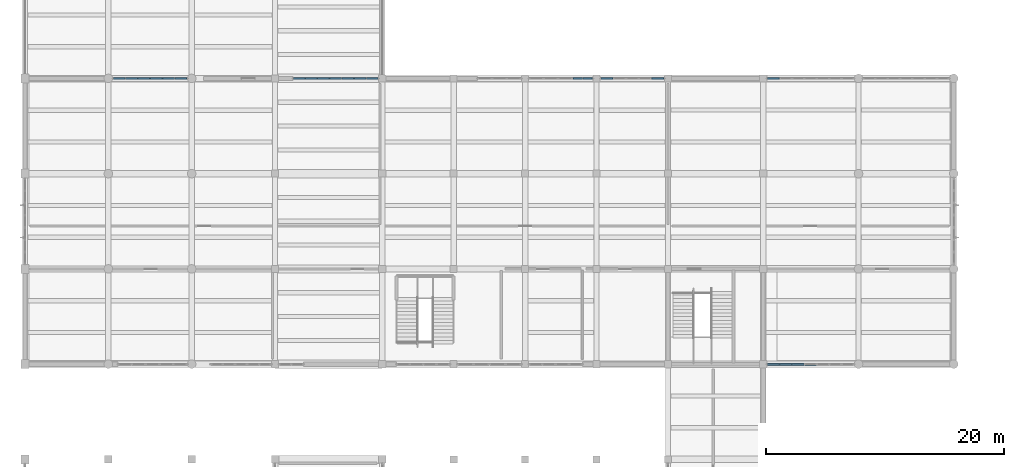
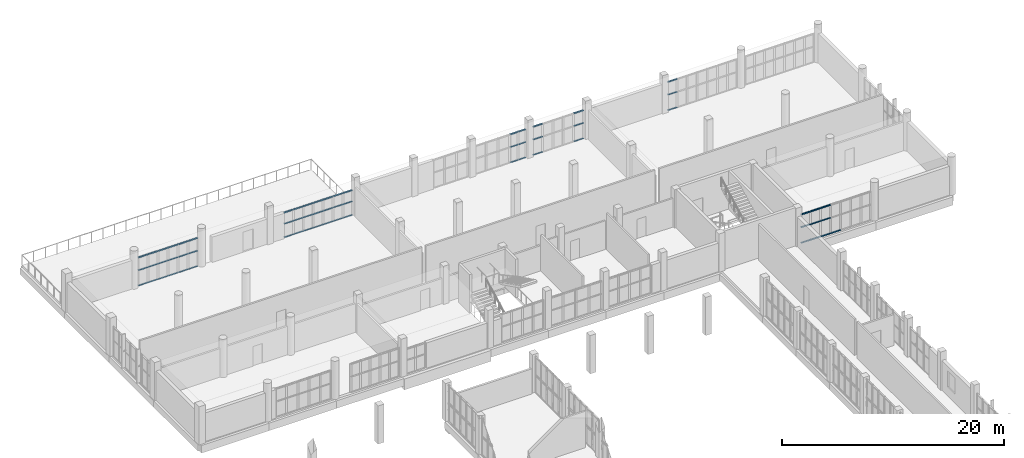
# One storey, part 41 of 85: 64 members, 6 elements without a shape of their own.
"""IFC4 building model written with IfcOpenShell, lengths in metres."""

from ifc_helpers import new_model, si_unit, direction, frame, origin, origin_2d, place, context, subcontext, project, spatial, rectangle, extrude, material, layer, layer_set, material_profile, profile_set, type_object, element, aggregate, save


model = new_model("IFC4")

# Units and contexts
model_context = context("Model", 3, precision=1e-05, world=origin(), true_north=direction((0.0, 1.0)))
body_context = subcontext(model_context, "Body", "Model", "MODEL_VIEW")
ifc_project = project(units=[si_unit("LENGTHUNIT", "METRE"), si_unit("AREAUNIT", "SQUARE_METRE"), si_unit("VOLUMEUNIT", "CUBIC_METRE"), si_unit("PLANEANGLEUNIT", "RADIAN"), si_unit("MASSUNIT", "GRAM", prefix="KILO")], contexts=[model_context])

# Site, building, storey
site_placement = place(None, origin())
site = spatial("IfcSite", under=ifc_project, at=site_placement, CompositionType="ELEMENT")
building_placement = place(site_placement, origin())
building = spatial("IfcBuilding", under=site, at=building_placement, Name="Solvane Community Centre", CompositionType="ELEMENT")
storey_placement = place(building_placement, frame((0.0, 0.0, 5.39990234375)))
storey = spatial("IfcBuildingStorey", under=building, at=storey_placement, Name="L01", CompositionType="ELEMENT", Elevation=5.39990234375)

# Curtain wall, members
ifc_material = material(Name="Anodised bronze aluminium AW-6063 T6", Category="aluminium")
ifc_layer_1 = layer(ifc_material, 0.18994140625)
ifc_layer_set_1 = layer_set([ifc_layer_1], Name="Anodised bronze aluminium AW-6063 T6")
curtain_wall_type_1 = type_object("IfcCurtainWallType", Name="Boulevard Bronze Vision Curtain Wall [62x31dm]", PredefinedType="NOTDEFINED", material=ifc_layer_set_1)
curtain_wall_1_placement = place(storey_placement, origin())
curtain_wall_1 = element("IfcCurtainWall", 1, at=curtain_wall_1_placement, inside=storey, type_object=curtain_wall_type_1, Name="Curtain Wall CW-L01-134_1100-086", PredefinedType="NOTDEFINED")
ifc_material_profile = material_profile(ifc_material, rectangle(XDim=0.14990234375, YDim=0.06005859375, at=origin_2d()), Name="CW-T 60x150")
ifc_profile_set = profile_set([ifc_material_profile], Name="Anodised bronze aluminium AW-6063 T6")
member_type = type_object("IfcMemberType", Name="Boulevard Transom 60x150", PredefinedType="USERDEFINED", material=ifc_profile_set)
member_1_placement = place(storey_placement, frame((13.43505859375, 110.0, 0.030029296875), z_axis=(1.0, 0.0, 0.0), x_axis=(0.0, 1.0, 0.0)))
member_1 = element("IfcMember", 2, at=member_1_placement, type_object=member_type, Name="CW02-62x31 transom 1.1", ObjectType="TRANSOM", PredefinedType="USERDEFINED", context=body_context, shape_type="SweptSolid", body=[
    extrude(rectangle(XDim=0.14990234375, YDim=0.06005859375, at=origin_2d()), origin(), (0.0, 0.0, 1.0), 0.95166015625),
])
member_2_placement = place(storey_placement, frame((13.43505859375, 110.0, 1.72412109375), z_axis=(1.0, 0.0, 0.0), x_axis=(0.0, 1.0, 0.0)))
member_2 = element("IfcMember", 3, at=member_2_placement, type_object=member_type, Name="CW02-62x31 transom 1.2", ObjectType="TRANSOM", PredefinedType="USERDEFINED", context=body_context, shape_type="SweptSolid", body=[
    extrude(rectangle(XDim=0.14990234375, YDim=0.06005859375, at=origin_2d()), origin(), (0.0, 0.0, 1.0), 0.95166015625),
])
member_3_placement = place(storey_placement, frame((13.43505859375, 110.0, 3.10498046875), z_axis=(1.0, 0.0, 0.0), x_axis=(0.0, 1.0, 0.0)))
member_3 = element("IfcMember", 4, at=member_3_placement, type_object=member_type, Name="CW02-62x31 transom 1.3", ObjectType="TRANSOM", PredefinedType="USERDEFINED", context=body_context, shape_type="SweptSolid", body=[
    extrude(rectangle(XDim=0.14990234375, YDim=0.06005859375, at=origin_2d()), origin(), (0.0, 0.0, 1.0), 0.95166015625),
])
member_4_placement = place(storey_placement, frame((14.44677734375, 110.0, 0.030029296875), z_axis=(1.0, 0.0, 0.0), x_axis=(0.0, 1.0, 0.0)))
member_4 = element("IfcMember", 5, at=member_4_placement, type_object=member_type, Name="CW02-62x31 transom 2.1", ObjectType="TRANSOM", PredefinedType="USERDEFINED", context=body_context, shape_type="SweptSolid", body=[
    extrude(rectangle(XDim=0.14990234375, YDim=0.06005859375, at=origin_2d()), origin(), (0.0, 0.0, 1.0), 0.9814453125),
])
member_5_placement = place(storey_placement, frame((14.44677734375, 110.0, 1.72412109375), z_axis=(1.0, 0.0, 0.0), x_axis=(0.0, 1.0, 0.0)))
member_5 = element("IfcMember", 6, at=member_5_placement, type_object=member_type, Name="CW02-62x31 transom 2.2", ObjectType="TRANSOM", PredefinedType="USERDEFINED", context=body_context, shape_type="SweptSolid", body=[
    extrude(rectangle(XDim=0.14990234375, YDim=0.06005859375, at=origin_2d()), origin(), (0.0, 0.0, 1.0), 0.9814453125),
])
member_6_placement = place(storey_placement, frame((14.44677734375, 110.0, 3.10498046875), z_axis=(1.0, 0.0, 0.0), x_axis=(0.0, 1.0, 0.0)))
member_6 = element("IfcMember", 7, at=member_6_placement, type_object=member_type, Name="CW02-62x31 transom 2.3", ObjectType="TRANSOM", PredefinedType="USERDEFINED", context=body_context, shape_type="SweptSolid", body=[
    extrude(rectangle(XDim=0.14990234375, YDim=0.06005859375, at=origin_2d()), origin(), (0.0, 0.0, 1.0), 0.9814453125),
])
member_7_placement = place(storey_placement, frame((15.48828125, 110.0, 0.030029296875), z_axis=(1.0, 0.0, 0.0), x_axis=(0.0, 1.0, 0.0)))
member_7 = element("IfcMember", 8, at=member_7_placement, type_object=member_type, Name="CW02-62x31 transom 3.1", ObjectType="TRANSOM", PredefinedType="USERDEFINED", context=body_context, shape_type="SweptSolid", body=[
    extrude(rectangle(XDim=0.14990234375, YDim=0.06005859375, at=origin_2d()), origin(), (0.0, 0.0, 1.0), 0.981689453125),
])
member_8_placement = place(storey_placement, frame((15.48828125, 110.0, 1.72412109375), z_axis=(1.0, 0.0, 0.0), x_axis=(0.0, 1.0, 0.0)))
member_8 = element("IfcMember", 9, at=member_8_placement, type_object=member_type, Name="CW02-62x31 transom 3.2", ObjectType="TRANSOM", PredefinedType="USERDEFINED", context=body_context, shape_type="SweptSolid", body=[
    extrude(rectangle(XDim=0.14990234375, YDim=0.06005859375, at=origin_2d()), origin(), (0.0, 0.0, 1.0), 0.981689453125),
])
member_9_placement = place(storey_placement, frame((15.48828125, 110.0, 3.10498046875), z_axis=(1.0, 0.0, 0.0), x_axis=(0.0, 1.0, 0.0)))
member_9 = element("IfcMember", 10, at=member_9_placement, type_object=member_type, Name="CW02-62x31 transom 3.3", ObjectType="TRANSOM", PredefinedType="USERDEFINED", context=body_context, shape_type="SweptSolid", body=[
    extrude(rectangle(XDim=0.14990234375, YDim=0.06005859375, at=origin_2d()), origin(), (0.0, 0.0, 1.0), 0.981689453125),
])
member_10_placement = place(storey_placement, frame((16.530029296875, 110.0, 0.030029296875), z_axis=(1.0, 0.0, 0.0), x_axis=(0.0, 1.0, 0.0)))
member_10 = element("IfcMember", 11, at=member_10_placement, type_object=member_type, Name="CW02-62x31 transom 4.1", ObjectType="TRANSOM", PredefinedType="USERDEFINED", context=body_context, shape_type="SweptSolid", body=[
    extrude(rectangle(XDim=0.14990234375, YDim=0.06005859375, at=origin_2d()), origin(), (0.0, 0.0, 1.0), 0.981689453125),
])
member_11_placement = place(storey_placement, frame((16.530029296875, 110.0, 1.72412109375), z_axis=(1.0, 0.0, 0.0), x_axis=(0.0, 1.0, 0.0)))
member_11 = element("IfcMember", 12, at=member_11_placement, type_object=member_type, Name="CW02-62x31 transom 4.2", ObjectType="TRANSOM", PredefinedType="USERDEFINED", context=body_context, shape_type="SweptSolid", body=[
    extrude(rectangle(XDim=0.14990234375, YDim=0.06005859375, at=origin_2d()), origin(), (0.0, 0.0, 1.0), 0.981689453125),
])
member_12_placement = place(storey_placement, frame((16.530029296875, 110.0, 3.10498046875), z_axis=(1.0, 0.0, 0.0), x_axis=(0.0, 1.0, 0.0)))
member_12 = element("IfcMember", 13, at=member_12_placement, type_object=member_type, Name="CW02-62x31 transom 4.3", ObjectType="TRANSOM", PredefinedType="USERDEFINED", context=body_context, shape_type="SweptSolid", body=[
    extrude(rectangle(XDim=0.14990234375, YDim=0.06005859375, at=origin_2d()), origin(), (0.0, 0.0, 1.0), 0.981689453125),
])
member_13_placement = place(storey_placement, frame((17.57177734375, 110.0, 0.030029296875), z_axis=(1.0, 0.0, 0.0), x_axis=(0.0, 1.0, 0.0)))
member_13 = element("IfcMember", 14, at=member_13_placement, type_object=member_type, Name="CW02-62x31 transom 5.1", ObjectType="TRANSOM", PredefinedType="USERDEFINED", context=body_context, shape_type="SweptSolid", body=[
    extrude(rectangle(XDim=0.14990234375, YDim=0.06005859375, at=origin_2d()), origin(), (0.0, 0.0, 1.0), 0.9814453125),
])
member_14_placement = place(storey_placement, frame((17.57177734375, 110.0, 1.72412109375), z_axis=(1.0, 0.0, 0.0), x_axis=(0.0, 1.0, 0.0)))
member_14 = element("IfcMember", 15, at=member_14_placement, type_object=member_type, Name="CW02-62x31 transom 5.2", ObjectType="TRANSOM", PredefinedType="USERDEFINED", context=body_context, shape_type="SweptSolid", body=[
    extrude(rectangle(XDim=0.14990234375, YDim=0.06005859375, at=origin_2d()), origin(), (0.0, 0.0, 1.0), 0.9814453125),
])
member_15_placement = place(storey_placement, frame((17.57177734375, 110.0, 3.10498046875), z_axis=(1.0, 0.0, 0.0), x_axis=(0.0, 1.0, 0.0)))
member_15 = element("IfcMember", 16, at=member_15_placement, type_object=member_type, Name="CW02-62x31 transom 5.3", ObjectType="TRANSOM", PredefinedType="USERDEFINED", context=body_context, shape_type="SweptSolid", body=[
    extrude(rectangle(XDim=0.14990234375, YDim=0.06005859375, at=origin_2d()), origin(), (0.0, 0.0, 1.0), 0.9814453125),
])
member_16_placement = place(storey_placement, frame((18.61328125, 110.0, 0.030029296875), z_axis=(1.0, 0.0, 0.0), x_axis=(0.0, 1.0, 0.0)))
member_16 = element("IfcMember", 17, at=member_16_placement, type_object=member_type, Name="CW02-62x31 transom 6.1", ObjectType="TRANSOM", PredefinedType="USERDEFINED", context=body_context, shape_type="SweptSolid", body=[
    extrude(rectangle(XDim=0.14990234375, YDim=0.06005859375, at=origin_2d()), origin(), (0.0, 0.0, 1.0), 0.95166015625),
])
member_17_placement = place(storey_placement, frame((18.61328125, 110.0, 1.72412109375), z_axis=(1.0, 0.0, 0.0), x_axis=(0.0, 1.0, 0.0)))
member_17 = element("IfcMember", 18, at=member_17_placement, type_object=member_type, Name="CW02-62x31 transom 6.2", ObjectType="TRANSOM", PredefinedType="USERDEFINED", context=body_context, shape_type="SweptSolid", body=[
    extrude(rectangle(XDim=0.14990234375, YDim=0.06005859375, at=origin_2d()), origin(), (0.0, 0.0, 1.0), 0.95166015625),
])
member_18_placement = place(storey_placement, frame((18.61328125, 110.0, 3.10498046875), z_axis=(1.0, 0.0, 0.0), x_axis=(0.0, 1.0, 0.0)))
member_18 = element("IfcMember", 19, at=member_18_placement, type_object=member_type, Name="CW02-62x31 transom 6.3", ObjectType="TRANSOM", PredefinedType="USERDEFINED", context=body_context, shape_type="SweptSolid", body=[
    extrude(rectangle(XDim=0.14990234375, YDim=0.06005859375, at=origin_2d()), origin(), (0.0, 0.0, 1.0), 0.95166015625),
])
aggregate(curtain_wall_1, [member_1, member_2, member_3, member_4, member_5, member_6, member_7, member_8, member_9, member_10, member_11, member_12, member_13, member_14, member_15, member_16, member_17, member_18])

ifc_layer_2 = layer(ifc_material, 0.18994140625)
ifc_layer_set_2 = layer_set([ifc_layer_2], Name="Anodised bronze aluminium AW-6063 T6")
curtain_wall_type_2 = type_object("IfcCurtainWallType", Name="Boulevard Bronze Vision Curtain Wall [72x28dm]", PredefinedType="NOTDEFINED", material=ifc_layer_set_2)
curtain_wall_2_placement = place(storey_placement, origin())
curtain_wall_2 = element("IfcCurtainWall", 20, at=curtain_wall_2_placement, inside=storey, type_object=curtain_wall_type_2, Name="Curtain Wall CW-L01-285_1100-087", PredefinedType="NOTDEFINED")
member_19_placement = place(storey_placement, frame((28.56005859375, 110.0, 0.030029296875), z_axis=(1.0, 0.0, 0.0), x_axis=(0.0, 1.0, 0.0)))
member_19 = element("IfcMember", 21, at=member_19_placement, type_object=member_type, Name="CW02-72x28 transom 1.1", ObjectType="TRANSOM", PredefinedType="USERDEFINED", context=body_context, shape_type="SweptSolid", body=[
    extrude(rectangle(XDim=0.14990234375, YDim=0.06005859375, at=origin_2d()), origin(), (0.0, 0.0, 1.0), 0.936279296875),
])
member_20_placement = place(storey_placement, frame((28.56005859375, 110.0, 1.52099609375), z_axis=(1.0, 0.0, 0.0), x_axis=(0.0, 1.0, 0.0)))
member_20 = element("IfcMember", 22, at=member_20_placement, type_object=member_type, Name="CW02-72x28 transom 1.2", ObjectType="TRANSOM", PredefinedType="USERDEFINED", context=body_context, shape_type="SweptSolid", body=[
    extrude(rectangle(XDim=0.14990234375, YDim=0.06005859375, at=origin_2d()), origin(), (0.0, 0.0, 1.0), 0.936279296875),
])
member_21_placement = place(storey_placement, frame((28.56005859375, 110.0, 2.735107421875), z_axis=(1.0, 0.0, 0.0), x_axis=(0.0, 1.0, 0.0)))
member_21 = element("IfcMember", 23, at=member_21_placement, type_object=member_type, Name="CW02-72x28 transom 1.3", ObjectType="TRANSOM", PredefinedType="USERDEFINED", context=body_context, shape_type="SweptSolid", body=[
    extrude(rectangle(XDim=0.14990234375, YDim=0.06005859375, at=origin_2d()), origin(), (0.0, 0.0, 1.0), 0.936279296875),
])
member_22_placement = place(storey_placement, frame((29.556396484375, 110.0, 0.030029296875), z_axis=(1.0, 0.0, 0.0), x_axis=(0.0, 1.0, 0.0)))
member_22 = element("IfcMember", 24, at=member_22_placement, type_object=member_type, Name="CW02-72x28 transom 2.1", ObjectType="TRANSOM", PredefinedType="USERDEFINED", context=body_context, shape_type="SweptSolid", body=[
    extrude(rectangle(XDim=0.14990234375, YDim=0.06005859375, at=origin_2d()), origin(), (0.0, 0.0, 1.0), 0.966552734375),
])
member_23_placement = place(storey_placement, frame((29.556396484375, 110.0, 1.52099609375), z_axis=(1.0, 0.0, 0.0), x_axis=(0.0, 1.0, 0.0)))
member_23 = element("IfcMember", 25, at=member_23_placement, type_object=member_type, Name="CW02-72x28 transom 2.2", ObjectType="TRANSOM", PredefinedType="USERDEFINED", context=body_context, shape_type="SweptSolid", body=[
    extrude(rectangle(XDim=0.14990234375, YDim=0.06005859375, at=origin_2d()), origin(), (0.0, 0.0, 1.0), 0.966552734375),
])
member_24_placement = place(storey_placement, frame((29.556396484375, 110.0, 2.735107421875), z_axis=(1.0, 0.0, 0.0), x_axis=(0.0, 1.0, 0.0)))
member_24 = element("IfcMember", 26, at=member_24_placement, type_object=member_type, Name="CW02-72x28 transom 2.3", ObjectType="TRANSOM", PredefinedType="USERDEFINED", context=body_context, shape_type="SweptSolid", body=[
    extrude(rectangle(XDim=0.14990234375, YDim=0.06005859375, at=origin_2d()), origin(), (0.0, 0.0, 1.0), 0.966552734375),
])
member_25_placement = place(storey_placement, frame((30.582763671875, 110.0, 0.030029296875), z_axis=(1.0, 0.0, 0.0), x_axis=(0.0, 1.0, 0.0)))
member_25 = element("IfcMember", 27, at=member_25_placement, type_object=member_type, Name="CW02-72x28 transom 3.1", ObjectType="TRANSOM", PredefinedType="USERDEFINED", context=body_context, shape_type="SweptSolid", body=[
    extrude(rectangle(XDim=0.14990234375, YDim=0.06005859375, at=origin_2d()), origin(), (0.0, 0.0, 1.0), 0.966552734375),
])
member_26_placement = place(storey_placement, frame((30.582763671875, 110.0, 1.52099609375), z_axis=(1.0, 0.0, 0.0), x_axis=(0.0, 1.0, 0.0)))
member_26 = element("IfcMember", 28, at=member_26_placement, type_object=member_type, Name="CW02-72x28 transom 3.2", ObjectType="TRANSOM", PredefinedType="USERDEFINED", context=body_context, shape_type="SweptSolid", body=[
    extrude(rectangle(XDim=0.14990234375, YDim=0.06005859375, at=origin_2d()), origin(), (0.0, 0.0, 1.0), 0.966552734375),
])
member_27_placement = place(storey_placement, frame((30.582763671875, 110.0, 2.735107421875), z_axis=(1.0, 0.0, 0.0), x_axis=(0.0, 1.0, 0.0)))
member_27 = element("IfcMember", 29, at=member_27_placement, type_object=member_type, Name="CW02-72x28 transom 3.3", ObjectType="TRANSOM", PredefinedType="USERDEFINED", context=body_context, shape_type="SweptSolid", body=[
    extrude(rectangle(XDim=0.14990234375, YDim=0.06005859375, at=origin_2d()), origin(), (0.0, 0.0, 1.0), 0.966552734375),
])
member_28_placement = place(storey_placement, frame((31.609375, 110.0, 0.030029296875), z_axis=(1.0, 0.0, 0.0), x_axis=(0.0, 1.0, 0.0)))
member_28 = element("IfcMember", 30, at=member_28_placement, type_object=member_type, Name="CW02-72x28 transom 4.1", ObjectType="TRANSOM", PredefinedType="USERDEFINED", context=body_context, shape_type="SweptSolid", body=[
    extrude(rectangle(XDim=0.14990234375, YDim=0.06005859375, at=origin_2d()), origin(), (0.0, 0.0, 1.0), 0.96630859375),
])
member_29_placement = place(storey_placement, frame((31.609375, 110.0, 1.52099609375), z_axis=(1.0, 0.0, 0.0), x_axis=(0.0, 1.0, 0.0)))
member_29 = element("IfcMember", 31, at=member_29_placement, type_object=member_type, Name="CW02-72x28 transom 4.2", ObjectType="TRANSOM", PredefinedType="USERDEFINED", context=body_context, shape_type="SweptSolid", body=[
    extrude(rectangle(XDim=0.14990234375, YDim=0.06005859375, at=origin_2d()), origin(), (0.0, 0.0, 1.0), 0.96630859375),
])
member_30_placement = place(storey_placement, frame((31.609375, 110.0, 2.735107421875), z_axis=(1.0, 0.0, 0.0), x_axis=(0.0, 1.0, 0.0)))
member_30 = element("IfcMember", 32, at=member_30_placement, type_object=member_type, Name="CW02-72x28 transom 4.3", ObjectType="TRANSOM", PredefinedType="USERDEFINED", context=body_context, shape_type="SweptSolid", body=[
    extrude(rectangle(XDim=0.14990234375, YDim=0.06005859375, at=origin_2d()), origin(), (0.0, 0.0, 1.0), 0.96630859375),
])
member_31_placement = place(storey_placement, frame((32.6357421875, 110.0, 0.030029296875), z_axis=(1.0, 0.0, 0.0), x_axis=(0.0, 1.0, 0.0)))
member_31 = element("IfcMember", 33, at=member_31_placement, type_object=member_type, Name="CW02-72x28 transom 5.1", ObjectType="TRANSOM", PredefinedType="USERDEFINED", context=body_context, shape_type="SweptSolid", body=[
    extrude(rectangle(XDim=0.14990234375, YDim=0.06005859375, at=origin_2d()), origin(), (0.0, 0.0, 1.0), 0.96630859375),
])
member_32_placement = place(storey_placement, frame((32.6357421875, 110.0, 1.52099609375), z_axis=(1.0, 0.0, 0.0), x_axis=(0.0, 1.0, 0.0)))
member_32 = element("IfcMember", 34, at=member_32_placement, type_object=member_type, Name="CW02-72x28 transom 5.2", ObjectType="TRANSOM", PredefinedType="USERDEFINED", context=body_context, shape_type="SweptSolid", body=[
    extrude(rectangle(XDim=0.14990234375, YDim=0.06005859375, at=origin_2d()), origin(), (0.0, 0.0, 1.0), 0.96630859375),
])
member_33_placement = place(storey_placement, frame((32.6357421875, 110.0, 2.735107421875), z_axis=(1.0, 0.0, 0.0), x_axis=(0.0, 1.0, 0.0)))
member_33 = element("IfcMember", 35, at=member_33_placement, type_object=member_type, Name="CW02-72x28 transom 5.3", ObjectType="TRANSOM", PredefinedType="USERDEFINED", context=body_context, shape_type="SweptSolid", body=[
    extrude(rectangle(XDim=0.14990234375, YDim=0.06005859375, at=origin_2d()), origin(), (0.0, 0.0, 1.0), 0.96630859375),
])
member_34_placement = place(storey_placement, frame((33.662109375, 110.0, 0.030029296875), z_axis=(1.0, 0.0, 0.0), x_axis=(0.0, 1.0, 0.0)))
member_34 = element("IfcMember", 36, at=member_34_placement, type_object=member_type, Name="CW02-72x28 transom 6.1", ObjectType="TRANSOM", PredefinedType="USERDEFINED", context=body_context, shape_type="SweptSolid", body=[
    extrude(rectangle(XDim=0.14990234375, YDim=0.06005859375, at=origin_2d()), origin(), (0.0, 0.0, 1.0), 0.966552734375),
])
member_35_placement = place(storey_placement, frame((33.662109375, 110.0, 1.52099609375), z_axis=(1.0, 0.0, 0.0), x_axis=(0.0, 1.0, 0.0)))
member_35 = element("IfcMember", 37, at=member_35_placement, type_object=member_type, Name="CW02-72x28 transom 6.2", ObjectType="TRANSOM", PredefinedType="USERDEFINED", context=body_context, shape_type="SweptSolid", body=[
    extrude(rectangle(XDim=0.14990234375, YDim=0.06005859375, at=origin_2d()), origin(), (0.0, 0.0, 1.0), 0.966552734375),
])
member_36_placement = place(storey_placement, frame((33.662109375, 110.0, 2.735107421875), z_axis=(1.0, 0.0, 0.0), x_axis=(0.0, 1.0, 0.0)))
member_36 = element("IfcMember", 38, at=member_36_placement, type_object=member_type, Name="CW02-72x28 transom 6.3", ObjectType="TRANSOM", PredefinedType="USERDEFINED", context=body_context, shape_type="SweptSolid", body=[
    extrude(rectangle(XDim=0.14990234375, YDim=0.06005859375, at=origin_2d()), origin(), (0.0, 0.0, 1.0), 0.966552734375),
])
member_37_placement = place(storey_placement, frame((34.6884765625, 110.0, 0.030029296875), z_axis=(1.0, 0.0, 0.0), x_axis=(0.0, 1.0, 0.0)))
member_37 = element("IfcMember", 39, at=member_37_placement, type_object=member_type, Name="CW02-72x28 transom 7.1", ObjectType="TRANSOM", PredefinedType="USERDEFINED", context=body_context, shape_type="SweptSolid", body=[
    extrude(rectangle(XDim=0.14990234375, YDim=0.06005859375, at=origin_2d()), origin(), (0.0, 0.0, 1.0), 0.9365234375),
])
member_38_placement = place(storey_placement, frame((34.6884765625, 110.0, 1.52099609375), z_axis=(1.0, 0.0, 0.0), x_axis=(0.0, 1.0, 0.0)))
member_38 = element("IfcMember", 40, at=member_38_placement, type_object=member_type, Name="CW02-72x28 transom 7.2", ObjectType="TRANSOM", PredefinedType="USERDEFINED", context=body_context, shape_type="SweptSolid", body=[
    extrude(rectangle(XDim=0.14990234375, YDim=0.06005859375, at=origin_2d()), origin(), (0.0, 0.0, 1.0), 0.9365234375),
])
member_39_placement = place(storey_placement, frame((34.6884765625, 110.0, 2.735107421875), z_axis=(1.0, 0.0, 0.0), x_axis=(0.0, 1.0, 0.0)))
member_39 = element("IfcMember", 41, at=member_39_placement, type_object=member_type, Name="CW02-72x28 transom 7.3", ObjectType="TRANSOM", PredefinedType="USERDEFINED", context=body_context, shape_type="SweptSolid", body=[
    extrude(rectangle(XDim=0.14990234375, YDim=0.06005859375, at=origin_2d()), origin(), (0.0, 0.0, 1.0), 0.9365234375),
])
aggregate(curtain_wall_2, [member_19, member_20, member_21, member_22, member_23, member_24, member_25, member_26, member_27, member_28, member_29, member_30, member_31, member_32, member_33, member_34, member_35, member_36, member_37, member_38, member_39])

ifc_layer_3 = layer(ifc_material, 0.18994140625)
ifc_layer_set_3 = layer_set([ifc_layer_3], Name="Anodised bronze aluminium AW-6063 T6")
curtain_wall_type_3 = type_object("IfcCurtainWallType", Name="Boulevard Bronze Vision Curtain Wall [17x31dm]", PredefinedType="NOTDEFINED", material=ifc_layer_set_3)
curtain_wall_3_placement = place(storey_placement, origin())
curtain_wall_3 = element("IfcCurtainWall", 42, at=curtain_wall_3_placement, inside=storey, type_object=curtain_wall_type_3, Name="Curtain Wall CW-L01-520_1100-090", PredefinedType="NOTDEFINED")
member_40_placement = place(storey_placement, frame((52.06005859375, 110.0, 0.030029296875), z_axis=(1.0, 0.0, 0.0), x_axis=(0.0, 1.0, 0.0)))
member_40 = element("IfcMember", 43, at=member_40_placement, type_object=member_type, Name="CW02-17x31 transom 1.1", ObjectType="TRANSOM", PredefinedType="USERDEFINED", context=body_context, shape_type="SweptSolid", body=[
    extrude(rectangle(XDim=0.14990234375, YDim=0.06005859375, at=origin_2d()), origin(), (0.0, 0.0, 1.0), 0.75244140625),
])
member_41_placement = place(storey_placement, frame((52.06005859375, 110.0, 1.72412109375), z_axis=(1.0, 0.0, 0.0), x_axis=(0.0, 1.0, 0.0)))
member_41 = element("IfcMember", 44, at=member_41_placement, type_object=member_type, Name="CW02-17x31 transom 1.2", ObjectType="TRANSOM", PredefinedType="USERDEFINED", context=body_context, shape_type="SweptSolid", body=[
    extrude(rectangle(XDim=0.14990234375, YDim=0.06005859375, at=origin_2d()), origin(), (0.0, 0.0, 1.0), 0.75244140625),
])
member_42_placement = place(storey_placement, frame((52.06005859375, 110.0, 3.10498046875), z_axis=(1.0, 0.0, 0.0), x_axis=(0.0, 1.0, 0.0)))
member_42 = element("IfcMember", 45, at=member_42_placement, type_object=member_type, Name="CW02-17x31 transom 1.3", ObjectType="TRANSOM", PredefinedType="USERDEFINED", context=body_context, shape_type="SweptSolid", body=[
    extrude(rectangle(XDim=0.14990234375, YDim=0.06005859375, at=origin_2d()), origin(), (0.0, 0.0, 1.0), 0.75244140625),
])
member_43_placement = place(storey_placement, frame((52.87255859375, 110.0, 0.030029296875), z_axis=(1.0, 0.0, 0.0), x_axis=(0.0, 1.0, 0.0)))
member_43 = element("IfcMember", 46, at=member_43_placement, type_object=member_type, Name="CW02-17x31 transom 2.1", ObjectType="TRANSOM", PredefinedType="USERDEFINED", context=body_context, shape_type="SweptSolid", body=[
    extrude(rectangle(XDim=0.14990234375, YDim=0.06005859375, at=origin_2d()), origin(), (0.0, 0.0, 1.0), 0.75244140625),
])
member_44_placement = place(storey_placement, frame((52.87255859375, 110.0, 1.72412109375), z_axis=(1.0, 0.0, 0.0), x_axis=(0.0, 1.0, 0.0)))
member_44 = element("IfcMember", 47, at=member_44_placement, type_object=member_type, Name="CW02-17x31 transom 2.2", ObjectType="TRANSOM", PredefinedType="USERDEFINED", context=body_context, shape_type="SweptSolid", body=[
    extrude(rectangle(XDim=0.14990234375, YDim=0.06005859375, at=origin_2d()), origin(), (0.0, 0.0, 1.0), 0.75244140625),
])
member_45_placement = place(storey_placement, frame((52.87255859375, 110.0, 3.10498046875), z_axis=(1.0, 0.0, 0.0), x_axis=(0.0, 1.0, 0.0)))
member_45 = element("IfcMember", 48, at=member_45_placement, type_object=member_type, Name="CW02-17x31 transom 2.3", ObjectType="TRANSOM", PredefinedType="USERDEFINED", context=body_context, shape_type="SweptSolid", body=[
    extrude(rectangle(XDim=0.14990234375, YDim=0.06005859375, at=origin_2d()), origin(), (0.0, 0.0, 1.0), 0.75244140625),
])
aggregate(curtain_wall_3, [member_40, member_41, member_42, member_43, member_44, member_45])

ifc_layer_4 = layer(ifc_material, 0.18994140625)
ifc_layer_set_4 = layer_set([ifc_layer_4], Name="Anodised bronze aluminium AW-6063 T6")
curtain_wall_type_4 = type_object("IfcCurtainWallType", Name="Boulevard Bronze Vision Curtain Wall [54x31dm]", PredefinedType="NOTDEFINED", material=ifc_layer_set_4)
curtain_wall_4_placement = place(storey_placement, origin())
curtain_wall_4 = element("IfcCurtainWall", 49, at=curtain_wall_4_placement, inside=storey, type_object=curtain_wall_type_4, Name="Curtain Wall CW-L01-543_1100-091", PredefinedType="NOTDEFINED")
member_46_placement = place(storey_placement, frame((54.375, 110.0, 0.030029296875), z_axis=(1.0, 0.0, 0.0), x_axis=(0.0, 1.0, 0.0)))
member_46 = element("IfcMember", 50, at=member_46_placement, type_object=member_type, Name="CW02-54x31 transom 1.1", ObjectType="TRANSOM", PredefinedType="USERDEFINED", context=body_context, shape_type="SweptSolid", body=[
    extrude(rectangle(XDim=0.14990234375, YDim=0.06005859375, at=origin_2d()), origin(), (0.0, 0.0, 1.0), 0.98388671875),
])
member_47_placement = place(storey_placement, frame((54.375, 110.0, 1.72412109375), z_axis=(1.0, 0.0, 0.0), x_axis=(0.0, 1.0, 0.0)))
member_47 = element("IfcMember", 51, at=member_47_placement, type_object=member_type, Name="CW02-54x31 transom 1.2", ObjectType="TRANSOM", PredefinedType="USERDEFINED", context=body_context, shape_type="SweptSolid", body=[
    extrude(rectangle(XDim=0.14990234375, YDim=0.06005859375, at=origin_2d()), origin(), (0.0, 0.0, 1.0), 0.98388671875),
])
member_48_placement = place(storey_placement, frame((54.375, 110.0, 3.10498046875), z_axis=(1.0, 0.0, 0.0), x_axis=(0.0, 1.0, 0.0)))
member_48 = element("IfcMember", 52, at=member_48_placement, type_object=member_type, Name="CW02-54x31 transom 1.3", ObjectType="TRANSOM", PredefinedType="USERDEFINED", context=body_context, shape_type="SweptSolid", body=[
    extrude(rectangle(XDim=0.14990234375, YDim=0.06005859375, at=origin_2d()), origin(), (0.0, 0.0, 1.0), 0.98388671875),
])
member_49_placement = place(storey_placement, frame((58.64111328125, 110.0, 0.030029296875), z_axis=(1.0, 0.0, 0.0), x_axis=(0.0, 1.0, 0.0)))
member_49 = element("IfcMember", 53, at=member_49_placement, type_object=member_type, Name="CW02-54x31 transom 5.1", ObjectType="TRANSOM", PredefinedType="USERDEFINED", context=body_context, shape_type="SweptSolid", body=[
    extrude(rectangle(XDim=0.14990234375, YDim=0.06005859375, at=origin_2d()), origin(), (0.0, 0.0, 1.0), 0.98388671875),
])
member_50_placement = place(storey_placement, frame((58.64111328125, 110.0, 1.72412109375), z_axis=(1.0, 0.0, 0.0), x_axis=(0.0, 1.0, 0.0)))
member_50 = element("IfcMember", 54, at=member_50_placement, type_object=member_type, Name="CW02-54x31 transom 5.2", ObjectType="TRANSOM", PredefinedType="USERDEFINED", context=body_context, shape_type="SweptSolid", body=[
    extrude(rectangle(XDim=0.14990234375, YDim=0.06005859375, at=origin_2d()), origin(), (0.0, 0.0, 1.0), 0.98388671875),
])
member_51_placement = place(storey_placement, frame((58.64111328125, 110.0, 3.10498046875), z_axis=(1.0, 0.0, 0.0), x_axis=(0.0, 1.0, 0.0)))
member_51 = element("IfcMember", 55, at=member_51_placement, type_object=member_type, Name="CW02-54x31 transom 5.3", ObjectType="TRANSOM", PredefinedType="USERDEFINED", context=body_context, shape_type="SweptSolid", body=[
    extrude(rectangle(XDim=0.14990234375, YDim=0.06005859375, at=origin_2d()), origin(), (0.0, 0.0, 1.0), 0.98388671875),
])
aggregate(curtain_wall_4, [member_46, member_47, member_48, member_49, member_50, member_51])

ifc_layer_5 = layer(ifc_material, 0.18994140625)
ifc_layer_set_5 = layer_set([ifc_layer_5], Name="Anodised bronze aluminium AW-6063 T6")
curtain_wall_type_5 = type_object("IfcCurtainWallType", Name="Boulevard Bronze Vision Curtain Wall [73x32dm]", PredefinedType="NOTDEFINED", material=ifc_layer_set_5)
curtain_wall_5_placement = place(storey_placement, origin())
curtain_wall_5 = element("IfcCurtainWall", 56, at=curtain_wall_5_placement, inside=storey, type_object=curtain_wall_type_5, Name="Curtain Wall CW-L01-683_1100-092", PredefinedType="NOTDEFINED")
member_52_placement = place(storey_placement, frame((68.375, 110.0, 0.030029296875), z_axis=(1.0, 0.0, 0.0), x_axis=(0.0, 1.0, 0.0)))
member_52 = element("IfcMember", 57, at=member_52_placement, type_object=member_type, Name="CW02-73x32 transom 1.1", ObjectType="TRANSOM", PredefinedType="USERDEFINED", context=body_context, shape_type="SweptSolid", body=[
    extrude(rectangle(XDim=0.14990234375, YDim=0.06005859375, at=origin_2d()), origin(), (0.0, 0.0, 1.0), 0.954345703125),
])
member_53_placement = place(storey_placement, frame((68.375, 110.0, 1.7412109375), z_axis=(1.0, 0.0, 0.0), x_axis=(0.0, 1.0, 0.0)))
member_53 = element("IfcMember", 58, at=member_53_placement, type_object=member_type, Name="CW02-73x32 transom 1.2", ObjectType="TRANSOM", PredefinedType="USERDEFINED", context=body_context, shape_type="SweptSolid", body=[
    extrude(rectangle(XDim=0.14990234375, YDim=0.06005859375, at=origin_2d()), origin(), (0.0, 0.0, 1.0), 0.954345703125),
])
member_54_placement = place(storey_placement, frame((68.375, 110.0, 3.135009765625), z_axis=(1.0, 0.0, 0.0), x_axis=(0.0, 1.0, 0.0)))
member_54 = element("IfcMember", 59, at=member_54_placement, type_object=member_type, Name="CW02-73x32 transom 1.3", ObjectType="TRANSOM", PredefinedType="USERDEFINED", context=body_context, shape_type="SweptSolid", body=[
    extrude(rectangle(XDim=0.14990234375, YDim=0.06005859375, at=origin_2d()), origin(), (0.0, 0.0, 1.0), 0.954345703125),
])
aggregate(curtain_wall_5, [member_52, member_53, member_54])

curtain_wall_6_placement = place(storey_placement, origin())
curtain_wall_6 = element("IfcCurtainWall", 60, at=curtain_wall_6_placement, inside=storey, type_object=curtain_wall_type_5, Name="Curtain Wall CW-L01-756_860-095", PredefinedType="NOTDEFINED")
member_55_placement = place(storey_placement, frame((72.462158203125, 86.0, 0.030029296875), z_axis=(-1.0, 0.0, 0.0), x_axis=(0.0, -1.0, 0.0)))
member_55 = element("IfcMember", 61, at=member_55_placement, type_object=member_type, Name="CW02-73x32 transom 4.1", ObjectType="TRANSOM", PredefinedType="USERDEFINED", context=body_context, shape_type="SweptSolid", body=[
    extrude(rectangle(XDim=0.14990234375, YDim=0.06005859375, at=origin_2d()), origin(), (0.0, 0.0, 1.0), 0.984375),
])
member_56_placement = place(storey_placement, frame((71.41796875, 86.0, 0.030029296875), z_axis=(-1.0, 0.0, 0.0), x_axis=(0.0, -1.0, 0.0)))
member_56 = element("IfcMember", 62, at=member_56_placement, type_object=member_type, Name="CW02-73x32 transom 5.1", ObjectType="TRANSOM", PredefinedType="USERDEFINED", context=body_context, shape_type="SweptSolid", body=[
    extrude(rectangle(XDim=0.14990234375, YDim=0.06005859375, at=origin_2d()), origin(), (0.0, 0.0, 1.0), 0.984375),
])
member_57_placement = place(storey_placement, frame((71.41796875, 86.0, 1.7412109375), z_axis=(-1.0, 0.0, 0.0), x_axis=(0.0, -1.0, 0.0)))
member_57 = element("IfcMember", 63, at=member_57_placement, type_object=member_type, Name="CW02-73x32 transom 5.2", ObjectType="TRANSOM", PredefinedType="USERDEFINED", context=body_context, shape_type="SweptSolid", body=[
    extrude(rectangle(XDim=0.14990234375, YDim=0.06005859375, at=origin_2d()), origin(), (0.0, 0.0, 1.0), 0.984375),
])
member_58_placement = place(storey_placement, frame((71.41796875, 86.0, 3.135009765625), z_axis=(-1.0, 0.0, 0.0), x_axis=(0.0, -1.0, 0.0)))
member_58 = element("IfcMember", 64, at=member_58_placement, type_object=member_type, Name="CW02-73x32 transom 5.3", ObjectType="TRANSOM", PredefinedType="USERDEFINED", context=body_context, shape_type="SweptSolid", body=[
    extrude(rectangle(XDim=0.14990234375, YDim=0.06005859375, at=origin_2d()), origin(), (0.0, 0.0, 1.0), 0.984375),
])
member_59_placement = place(storey_placement, frame((70.37353515625, 86.0, 0.030029296875), z_axis=(-1.0, 0.0, 0.0), x_axis=(0.0, -1.0, 0.0)))
member_59 = element("IfcMember", 65, at=member_59_placement, type_object=member_type, Name="CW02-73x32 transom 6.1", ObjectType="TRANSOM", PredefinedType="USERDEFINED", context=body_context, shape_type="SweptSolid", body=[
    extrude(rectangle(XDim=0.14990234375, YDim=0.06005859375, at=origin_2d()), origin(), (0.0, 0.0, 1.0), 0.984130859375),
])
member_60_placement = place(storey_placement, frame((70.37353515625, 86.0, 1.7412109375), z_axis=(-1.0, 0.0, 0.0), x_axis=(0.0, -1.0, 0.0)))
member_60 = element("IfcMember", 66, at=member_60_placement, type_object=member_type, Name="CW02-73x32 transom 6.2", ObjectType="TRANSOM", PredefinedType="USERDEFINED", context=body_context, shape_type="SweptSolid", body=[
    extrude(rectangle(XDim=0.14990234375, YDim=0.06005859375, at=origin_2d()), origin(), (0.0, 0.0, 1.0), 0.984130859375),
])
member_61_placement = place(storey_placement, frame((70.37353515625, 86.0, 3.135009765625), z_axis=(-1.0, 0.0, 0.0), x_axis=(0.0, -1.0, 0.0)))
member_61 = element("IfcMember", 67, at=member_61_placement, type_object=member_type, Name="CW02-73x32 transom 6.3", ObjectType="TRANSOM", PredefinedType="USERDEFINED", context=body_context, shape_type="SweptSolid", body=[
    extrude(rectangle(XDim=0.14990234375, YDim=0.06005859375, at=origin_2d()), origin(), (0.0, 0.0, 1.0), 0.984130859375),
])
member_62_placement = place(storey_placement, frame((69.329345703125, 86.0, 0.030029296875), z_axis=(-1.0, 0.0, 0.0), x_axis=(0.0, -1.0, 0.0)))
member_62 = element("IfcMember", 68, at=member_62_placement, type_object=member_type, Name="CW02-73x32 transom 7.1", ObjectType="TRANSOM", PredefinedType="USERDEFINED", context=body_context, shape_type="SweptSolid", body=[
    extrude(rectangle(XDim=0.14990234375, YDim=0.06005859375, at=origin_2d()), origin(), (0.0, 0.0, 1.0), 0.954345703125),
])
member_63_placement = place(storey_placement, frame((69.329345703125, 86.0, 1.7412109375), z_axis=(-1.0, 0.0, 0.0), x_axis=(0.0, -1.0, 0.0)))
member_63 = element("IfcMember", 69, at=member_63_placement, type_object=member_type, Name="CW02-73x32 transom 7.2", ObjectType="TRANSOM", PredefinedType="USERDEFINED", context=body_context, shape_type="SweptSolid", body=[
    extrude(rectangle(XDim=0.14990234375, YDim=0.06005859375, at=origin_2d()), origin(), (0.0, 0.0, 1.0), 0.954345703125),
])
member_64_placement = place(storey_placement, frame((69.329345703125, 86.0, 3.135009765625), z_axis=(-1.0, 0.0, 0.0), x_axis=(0.0, -1.0, 0.0)))
member_64 = element("IfcMember", 70, at=member_64_placement, type_object=member_type, Name="CW02-73x32 transom 7.3", ObjectType="TRANSOM", PredefinedType="USERDEFINED", context=body_context, shape_type="SweptSolid", body=[
    extrude(rectangle(XDim=0.14990234375, YDim=0.06005859375, at=origin_2d()), origin(), (0.0, 0.0, 1.0), 0.954345703125),
])
aggregate(curtain_wall_6, [member_55, member_56, member_57, member_58, member_59, member_60, member_61, member_62, member_63, member_64])

save(model, "model.ifc")
